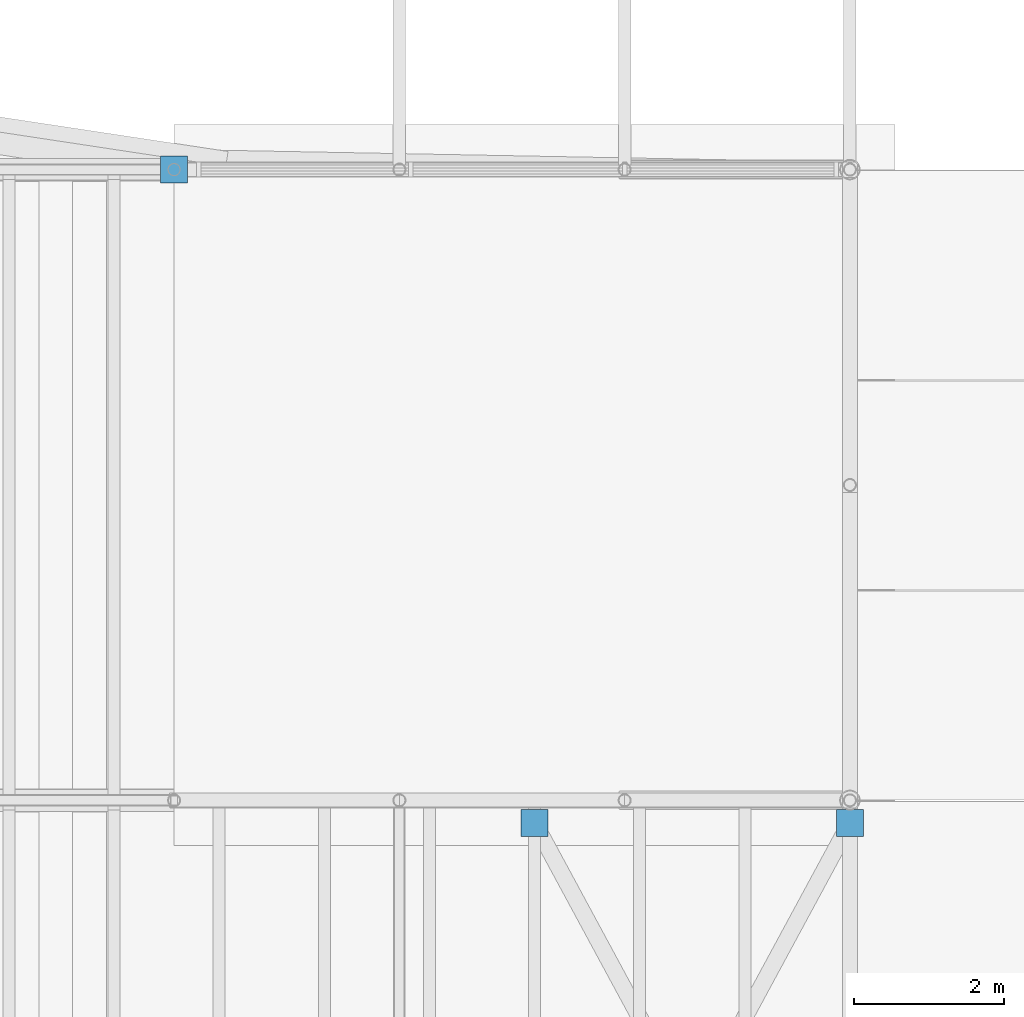
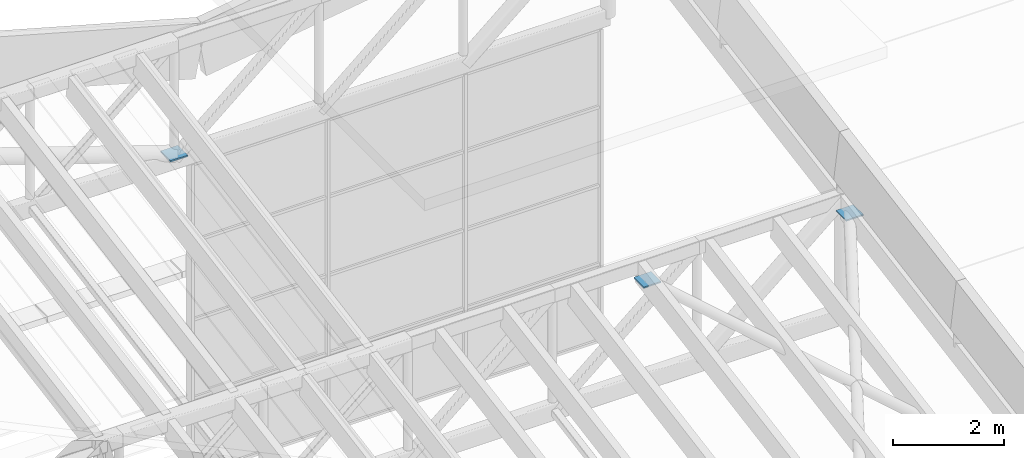
# One storey, part 71 of 91: 3 discrete accessories.
"""IFC4 building model written with IfcOpenShell, lengths in metres."""

import ifcopenshell
import ifcopenshell.guid

model = None  # the IFC model being written
_history = None  # IfcOwnerHistory: only IFC2X3 demands one
_inside = {}  # id of a spatial element -> (the spatial element, [elements in it])
_under = {}  # id of a project, library or spatial element -> (it, [spatial elements below it])
_declared = {}  # id of a project -> (the project, [libraries it declares])
_typed = {}  # id of a type object -> (the type object, [elements of that type])
_made_of = {}  # id of a material, layer set ... -> (it, [elements and type objects made of it])


def new_model(schema):
    """Start an empty IFC model of exactly this schema.

    Asked for "IFC4X3", IfcOpenShell would pick the latest addendum, in which some entities
    have other attributes; the version numbers below select the first issue.
    IFC2X3 requires an IfcOwnerHistory on every rooted entity: one is made here for all.
    """
    global model, _history
    if schema == "IFC4X3":
        model = ifcopenshell.file(schema_version=(4, 3, 0, 0))
    else:
        model = ifcopenshell.file(schema=schema)
    _inside.clear()
    _under.clear()
    _declared.clear()
    _typed.clear()
    _made_of.clear()
    _history = None
    if model.schema == "IFC2X3":
        org = make("IfcOrganization", Name="unknown")
        user = make(
            "IfcPersonAndOrganization",
            ThePerson=make("IfcPerson", FamilyName="unknown"),
            TheOrganization=org,
        )
        app = make(
            "IfcApplication",
            ApplicationDeveloper=org,
            Version="unknown",
            ApplicationFullName="unknown",
            ApplicationIdentifier="unknown",
        )
        _history = make(
            "IfcOwnerHistory",
            OwningUser=user,
            OwningApplication=app,
            ChangeAction="ADDED",
            CreationDate=0,
        )
    return model


def make(cls, **values):
    """One entity of the class cls with the attributes given. An attribute that is None is left unset."""
    return model.create_entity(
        cls, **{name: value for name, value in values.items() if value is not None}
    )


def rooted(cls, **values):
    """An entity with a GlobalId (a new one), such as an element, a storey or a relation."""
    return make(cls, GlobalId=ifcopenshell.guid.new(), OwnerHistory=_history, **values)


def si_unit(unit_type, name, prefix=None):
    """IfcSIUnit, for example si_unit("LENGTHUNIT", "METRE", prefix="MILLI")."""
    return make("IfcSIUnit", UnitType=unit_type, Prefix=prefix, Name=name)


def assignment(units):
    """IfcUnitAssignment: the units of a project."""
    return None if units is None else make("IfcUnitAssignment", Units=units)


def point(xyz):
    """IfcCartesianPoint."""
    return None if xyz is None else make("IfcCartesianPoint", Coordinates=xyz)


def direction(xyz):
    """IfcDirection."""
    return None if xyz is None else make("IfcDirection", DirectionRatios=xyz)


def frame(location, z_axis=None, x_axis=None):
    """IfcAxis2Placement3D, a coordinate frame: its origin and axes. An axis left out is left unset."""
    return make(
        "IfcAxis2Placement3D",
        Location=point(location),
        Axis=direction(z_axis),
        RefDirection=direction(x_axis),
    )


def frame_2d(location, x_axis=None):
    """IfcAxis2Placement2D, a coordinate frame in the plane: its origin and x axis."""
    return make(
        "IfcAxis2Placement2D", Location=point(location), RefDirection=direction(x_axis)
    )


def origin():
    """The frame at (0, 0, 0) with its axes left unset."""
    return frame((0.0, 0.0, 0.0))


def origin_2d():
    """The frame at (0, 0) in the plane with its x axis left unset."""
    return frame_2d((0.0, 0.0))


def place(relative_to, where):
    """IfcLocalPlacement: puts the frame where relative to a parent placement (None: the world)."""
    return make(
        "IfcLocalPlacement", PlacementRelTo=relative_to, RelativePlacement=where
    )


def context(
    kind, dimensions, precision=None, world=None, true_north=None, identifier=None
):
    """IfcGeometricRepresentationContext, for example the 3D "Model" context."""
    return make(
        "IfcGeometricRepresentationContext",
        ContextIdentifier=identifier,
        ContextType=kind,
        CoordinateSpaceDimension=dimensions,
        Precision=precision,
        WorldCoordinateSystem=world,
        TrueNorth=true_north,
    )


def subcontext(parent, identifier, kind, view, scale=None):
    """IfcGeometricRepresentationSubContext, for example "Body" below "Model"."""
    return make(
        "IfcGeometricRepresentationSubContext",
        ContextIdentifier=identifier,
        ContextType=kind,
        ParentContext=parent,
        TargetScale=scale,
        TargetView=view,
    )


def project(units=None, contexts=None):
    """IfcProject with its units and contexts."""
    return rooted(
        "IfcProject",
        Name="project",
        RepresentationContexts=contexts,
        UnitsInContext=assignment(units),
    )


def spatial(cls, under=None, at=None, **own):
    """A site, building, storey or space (cls), placed at a placement, below another one or the project."""
    s = rooted(cls, ObjectPlacement=at, **own)
    if under is not None:
        _under.setdefault(under.id(), (under, []))[1].append(s)
    return s


def profile(cls, at=None, kind="AREA", **sizes):
    """A parametric profile (cls). Its sizes go by their IFC names, for example OverallWidth=200.0."""
    return make(cls, ProfileType=kind, Position=at, **sizes)


def rectangle(**sizes):
    """IfcRectangleProfileDef."""
    return profile("IfcRectangleProfileDef", **sizes)


def extrude(swept, where, along, depth):
    """IfcExtrudedAreaSolid: the profile swept, set in the frame where, extruded along a direction by depth."""
    return make(
        "IfcExtrudedAreaSolid",
        SweptArea=swept,
        Position=where,
        ExtrudedDirection=direction(along),
        Depth=depth,
    )


def shape(context_of_items, identifier, shape_type, items):
    """IfcShapeRepresentation: the items that make up one representation, for example the "Body"."""
    return make(
        "IfcShapeRepresentation",
        ContextOfItems=context_of_items,
        RepresentationIdentifier=identifier,
        RepresentationType=shape_type,
        Items=items,
    )


def material(Name=None, Category=None):
    """IfcMaterial."""
    return make("IfcMaterial", Name=Name, Category=Category)


def made_of(thing, what):
    """Note that an element or type object is made of a material, layer set ...; save() writes the relation."""
    if what is not None:
        _made_of.setdefault(what.id(), (what, []))[1].append(thing)
    return thing


def type_object(cls, material=None, **own):
    """A type object (cls), such as IfcWallType, which elements share."""
    return made_of(rooted(cls, **own), material)


def element(
    cls,
    number,
    at=None,
    inside=None,
    cuts=None,
    type_object=None,
    material=None,
    context=None,
    identifier="Body",
    shape_type=None,
    held_by="IfcProductDefinitionShape",
    body=None,
    shapes=None,
    **own,
):
    """One element of the class cls, such as IfcWall. Its Tag is "e" and its number.

    at: its placement. inside: the storey or other place that contains it. cuts: it is an
    opening in that element (IfcRelVoidsElement). A single representation is given by context,
    identifier, shape_type and body (its items); several are given by shapes. held_by: the class
    of the entity that holds the representations. save() writes the other relations.
    """
    e = rooted(cls, Tag="e%d" % number, ObjectPlacement=at, **own)
    if body is not None:
        shapes = [shape(context, identifier, shape_type, body)]
    if shapes is not None:
        e.Representation = make(held_by, Representations=shapes)
    if inside is not None:
        _inside.setdefault(inside.id(), (inside, []))[1].append(e)
    if cuts is not None:
        rooted(
            "IfcRelVoidsElement", RelatingBuildingElement=cuts, RelatedOpeningElement=e
        )
    if type_object is not None:
        _typed.setdefault(type_object.id(), (type_object, []))[1].append(e)
    return made_of(e, material)


def aggregate(whole, parts):
    """IfcRelAggregates: a whole, such as a stair, and the parts it consists of."""
    return rooted("IfcRelAggregates", RelatingObject=whole, RelatedObjects=parts)


def save(model, path):
    """Write the relations noted so far, then the file.

    IfcRelAggregates (storeys below a building ...), IfcRelContainedInSpatialStructure (elements
    in a storey), IfcRelDefinesByType, IfcRelAssociatesMaterial and IfcRelDeclares: one each for
    every whole, place, type object, material and project.
    """
    for whole, parts in _under.values():
        aggregate(whole, parts)
    for where, things in _inside.values():
        rooted(
            "IfcRelContainedInSpatialStructure",
            RelatedElements=things,
            RelatingStructure=where,
        )
    for kind, things in _typed.values():
        rooted("IfcRelDefinesByType", RelatedObjects=things, RelatingType=kind)
    for what, things in _made_of.values():
        rooted("IfcRelAssociatesMaterial", RelatedObjects=things, RelatingMaterial=what)
    for by, libraries in _declared.values():
        rooted("IfcRelDeclares", RelatingContext=by, RelatedDefinitions=libraries)
    model.write(path)


model = new_model("IFC4")

# Units and contexts
model_context = context("Model", 3, precision=1e-05, world=origin(), true_north=direction((0.0, 1.0)))
body_context = subcontext(model_context, "Body", "Model", "MODEL_VIEW")
ifc_project = project(units=[si_unit("LENGTHUNIT", "METRE"), si_unit("AREAUNIT", "SQUARE_METRE"), si_unit("VOLUMEUNIT", "CUBIC_METRE"), si_unit("PLANEANGLEUNIT", "RADIAN"), si_unit("MASSUNIT", "GRAM", prefix="KILO")], contexts=[model_context])

# Site, building, storey
site_placement = place(None, origin())
site = spatial("IfcSite", under=ifc_project, at=site_placement, CompositionType="ELEMENT")
building_placement = place(site_placement, origin())
building = spatial("IfcBuilding", under=site, at=building_placement, Name="Almond Square Museum", CompositionType="ELEMENT")
storey_placement = place(building_placement, frame((0.0, 0.0, 30.0)))
storey = spatial("IfcBuildingStorey", under=building, at=storey_placement, Name="L05", CompositionType="ELEMENT", Elevation=30.0)

# Discrete accessories
ifc_material = material(Name="Structural steel S355", Category="steel")
discrete_accessory_type = type_object("IfcDiscreteAccessoryType", Name="Brace end plate", PredefinedType="BRACKET", material=ifc_material)
for number, where, z_axis, x_axis, name in (
    (1, (148.800048828125, 100.5, 14.89697265625), (0.0, 0.0, 1.0), (1.0, 0.0, 0.0), "Brace end plate"),
    (2, (144.60009765625, 100.5, 14.89697265625), (0.0, 0.0, 1.0), (1.0, 0.0, 0.0), "Brace end plate"),
    (3, (139.800048828125, 109.199951171875, 14.0751953125), (0.0, 0.0, 1.0), (1.0, 0.0, 0.0), "Brace end plate"),
):
    element("IfcDiscreteAccessory", number, at=place(storey_placement, frame(where, z_axis=z_axis, x_axis=x_axis)), inside=storey, type_object=discrete_accessory_type, Name=name, PredefinedType="BRACKET", context=body_context, shape_type="SweptSolid", body=[
        extrude(rectangle(XDim=0.360107421875, YDim=0.360107421875, at=origin_2d()), origin(), (0.0, 0.0, 1.0), 0.030029296875),
    ])

save(model, "model.ifc")
